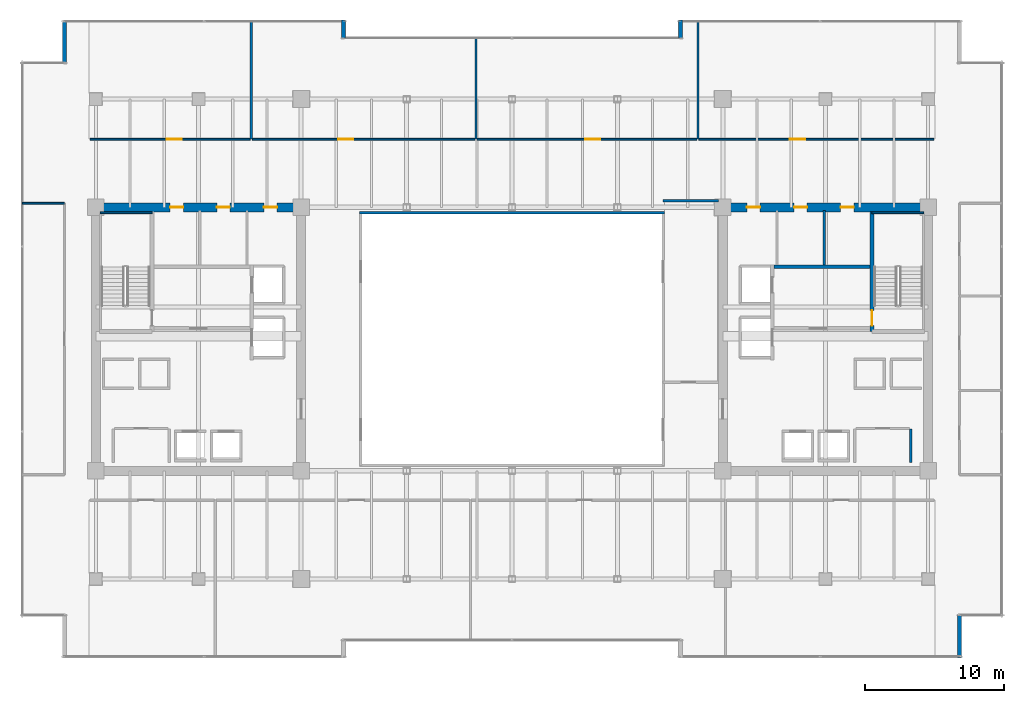
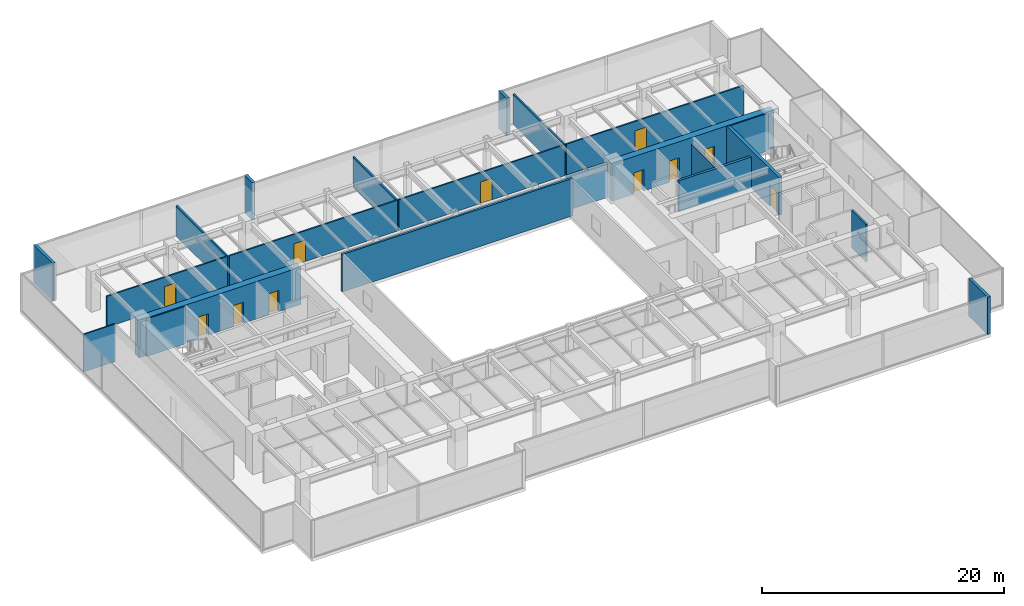
# One storey, part 27 of 33: 22 walls, 11 doors, 11 openings.
"""IFC4 building model written with IfcOpenShell, lengths in metres."""

from ifc_helpers import new_model, si_unit, direction, frame, frame_2d, origin, place, context, subcontext, project, spatial, rectangle, extrude, source, transform, mapped, material, layer, layer_set, type_object, type_shapes, element, fill, save


model = new_model("IFC4")

# Units and contexts
model_context = context("Model", 3, precision=1e-05, world=origin(), true_north=direction((0.0, 1.0)))
body_context = subcontext(model_context, "Body", "Model", "MODEL_VIEW")
ifc_project = project(units=[si_unit("LENGTHUNIT", "METRE"), si_unit("AREAUNIT", "SQUARE_METRE"), si_unit("VOLUMEUNIT", "CUBIC_METRE"), si_unit("PLANEANGLEUNIT", "RADIAN"), si_unit("MASSUNIT", "GRAM", prefix="KILO")], contexts=[model_context])

# Site, building, storey
site_placement = place(None, origin())
site = spatial("IfcSite", under=ifc_project, at=site_placement, CompositionType="ELEMENT")
building_placement = place(site_placement, origin())
building = spatial("IfcBuilding", under=site, at=building_placement, Name="Haelvirn Gate Laboratories", CompositionType="ELEMENT")
storey_placement = place(building_placement, frame((0.0, 0.0, 117.39990234375)))
storey = spatial("IfcBuildingStorey", under=building, at=storey_placement, Name="L28", CompositionType="ELEMENT", Elevation=117.39990234375)

# Walls
ifc_material_1 = material(Name="Thermally-broken bronze aluminium rainscreen & mineral wool", Category="aluminium")
ifc_layer_1 = layer(ifc_material_1, 0.280029296875, Name="EW-TERR-280")
ifc_layer_set_1 = layer_set([ifc_layer_1], Name="Thermally-broken bronze aluminium rainscreen & mineral wool")
wall_type_1 = type_object("IfcWallType", Name="EW-TERR-280", PredefinedType="STANDARD", material=ifc_layer_set_1)
wall_1_placement = place(storey_placement, frame((69.659912109375, 1.300048828125, 0.0), z_axis=(0.0, 0.0, 1.0), x_axis=(0.0, 1.0, 0.0)))
element("IfcWall", 1, at=wall_1_placement, inside=storey, type_object=wall_type_1, Name="L28 Atrium Recess Bronze Return Wall 05", PredefinedType="STANDARD", context=body_context, shape_type="SweptSolid", body=[
    extrude(rectangle(XDim=3.087890625, YDim=0.280029296875, at=frame_2d((1.5439453125, 0.0))), origin(), (0.0, 0.0, 1.0), 3.7900390625),
])
for number, where, z_axis, x_axis, name in (
    (2, (49.5400390625, 47.300048828125, 0.0), (0.0, 0.0, 1.0), (0.0, -1.0, 0.0), "L28 Atrium Recess Bronze Return Wall 11"),
    (3, (25.260009765625, 46.011962890625, 0.0), (0.0, 0.0, 1.0), (0.0, 1.0, 0.0), "L28 Atrium Recess Bronze Return Wall 13"),
):
    element("IfcWall", number, at=place(storey_placement, frame(where, z_axis=z_axis, x_axis=x_axis)), inside=storey, type_object=wall_type_1, Name=name, PredefinedType="STANDARD", context=body_context, shape_type="SweptSolid", body=[
        extrude(rectangle(XDim=1.2880859375, YDim=0.280029296875, at=frame_2d((0.64404296875, 0.0))), origin(), (0.0, 0.0, 1.0), 3.7900390625),
    ])
wall_2_placement = place(storey_placement, frame((5.139892578125, 47.300048828125, 0.0), z_axis=(0.0, 0.0, 1.0), x_axis=(0.0, -1.0, 0.0)))
element("IfcWall", 4, at=wall_2_placement, inside=storey, type_object=wall_type_1, Name="L28 Atrium Recess Bronze Return Wall 15", PredefinedType="STANDARD", context=body_context, shape_type="SweptSolid", body=[
    extrude(rectangle(XDim=3.088134765625, YDim=0.280029296875, at=frame_2d((1.5439453125, 0.0))), origin(), (0.0, 0.0, 1.0), 3.7900390625),
])
ifc_material_2 = material(Name="Double-layer acoustic gypsum laboratory partition", Category="gypsum")
ifc_layer_2 = layer(ifc_material_2, 0.159912109375, Name="IW-ACOUST-160")
ifc_layer_set_2 = layer_set([ifc_layer_2], Name="Double-layer acoustic gypsum laboratory partition")
wall_type_2 = type_object("IfcWallType", Name="IW-ACOUST-160", PredefinedType="PARTITIONING", material=ifc_layer_set_2)
wall_3_placement = place(storey_placement, frame((18.60009765625, 38.705078125, 0.0), z_axis=(0.0, 0.0, 1.0), x_axis=(0.0, 1.0, 0.0)))
element("IfcWall", 5, at=wall_3_placement, inside=storey, type_object=wall_type_2, Name="L28 Interior Wall IW-L28-NDIV-01", PredefinedType="PARTITIONING", context=body_context, shape_type="SweptSolid", body=[
    extrude(rectangle(XDim=8.48486328125, YDim=0.159912109375, at=frame_2d((4.242431640625, 0.0))), origin(), (0.0, 0.0, 1.0), 3.0751953125),
])
wall_4_placement = place(storey_placement, frame((34.800048828125, 38.705078125, 0.0), z_axis=(0.0, 0.0, 1.0), x_axis=(0.0, 1.0, 0.0)))
element("IfcWall", 6, at=wall_4_placement, inside=storey, type_object=wall_type_2, Name="L28 Interior Wall IW-L28-NDIV-02", PredefinedType="PARTITIONING", context=body_context, shape_type="SweptSolid", body=[
    extrude(rectangle(XDim=7.284912109375, YDim=0.159912109375, at=frame_2d((3.642578125, 0.0))), origin(), (0.0, 0.0, 1.0), 3.0751953125),
])
wall_5_placement = place(storey_placement, frame((50.800048828125, 38.705078125, 0.0), z_axis=(0.0, 0.0, 1.0), x_axis=(0.0, 1.0, 0.0)))
element("IfcWall", 7, at=wall_5_placement, inside=storey, type_object=wall_type_2, Name="L28 Interior Wall IW-L28-NDIV-03", PredefinedType="PARTITIONING", context=body_context, shape_type="SweptSolid", body=[
    extrude(rectangle(XDim=8.48486328125, YDim=0.159912109375, at=frame_2d((4.242431640625, 0.0))), origin(), (0.0, 0.0, 1.0), 3.0751953125),
])
ifc_material_3 = material(Name="Fire-rated acoustic gypsum board partition", Category="gypsum")
ifc_layer_3 = layer(ifc_material_3, 0.175048828125, Name="IW-ACOUST-180")
ifc_layer_set_3 = layer_set([ifc_layer_3], Name="Fire-rated acoustic gypsum board partition")
wall_type_3 = type_object("IfcWallType", Name="IW-ACOUST-180", PredefinedType="PARTITIONING", material=ifc_layer_set_3)
wall_6_placement = place(storey_placement, frame((48.300048828125, 34.260009765625, 0.0), z_axis=(0.0, 0.0, 1.0), x_axis=(1.0, 0.0, 0.0)))
element("IfcWall", 8, at=wall_6_placement, inside=storey, type_object=wall_type_3, Name="L28 Interior Wall IW-L28-ASEM-N", PredefinedType="PARTITIONING", context=body_context, shape_type="SweptSolid", body=[
    extrude(rectangle(XDim=3.974853515625, YDim=0.175048828125, at=frame_2d((1.9873046875, 0.0))), origin(), (0.0, 0.0, 1.0), 3.47509765625),
])
ifc_material_4 = material(Name="Tempered fire-rated borosilicate glass & anodised aluminium", Category="aluminium")
ifc_layer_4 = layer(ifc_material_4, 0.195068359375, Name="IW-GLAZ-200")
ifc_layer_set_4 = layer_set([ifc_layer_4], Name="Tempered fire-rated borosilicate glass & anodised aluminium")
wall_type_4 = type_object("IfcWallType", Name="IW-GLAZ-200", PredefinedType="SOLIDWALL", material=ifc_layer_set_4)
wall_7_placement = place(storey_placement, frame((26.39990234375, 33.39990234375, 0.0), z_axis=(0.0, 0.0, 1.0), x_axis=(1.0, 0.0, 0.0)))
element("IfcWall", 9, at=wall_7_placement, inside=storey, type_object=wall_type_4, Name="L28 Interior Wall IW-L28-ATRIUM-N", PredefinedType="SOLIDWALL", context=body_context, shape_type="SweptSolid", body=[
    extrude(rectangle(XDim=22.0, YDim=0.195068359375, at=frame_2d((11.0, 0.0))), origin(), (0.0, 0.0, 1.0), 3.7900390625),
])
ifc_material_5 = material(Name="Lightweight acoustic gypsum board partition", Category="gypsum")
ifc_layer_5 = layer(ifc_material_5, 0.1201171875, Name="IW-PART-120")
ifc_layer_set_5 = layer_set([ifc_layer_5], Name="Lightweight acoustic gypsum board partition")
wall_type_5 = type_object("IfcWallType", Name="IW-PART-120", PredefinedType="PARTITIONING", material=ifc_layer_set_5)
wall_8_placement = place(storey_placement, frame((2.110107421875, 34.0849609375, 0.0), z_axis=(0.0, 0.0, 1.0), x_axis=(1.0, 0.0, 0.0)))
element("IfcWall", 10, at=wall_8_placement, inside=storey, type_object=wall_type_5, Name="L28 Interior Wall IW-L28-WCAP-N", PredefinedType="PARTITIONING", context=body_context, shape_type="SweptSolid", body=[
    extrude(rectangle(XDim=3.019775390625, YDim=0.1201171875, at=frame_2d((1.509765625, 0.0))), origin(), (0.0, 0.0, 1.0), 3.7900390625),
])

# Wall, opening, door
ifc_material_6 = material(Name="Acoustic mineral-wool gypsum board partition", Category="gypsum")
ifc_layer_6 = layer(ifc_material_6, 0.139892578125, Name="IW-PART-140")
ifc_layer_set_6 = layer_set([ifc_layer_6], Name="Acoustic mineral-wool gypsum board partition")
wall_type_6 = type_object("IfcWallType", Name="IW-PART-140", PredefinedType="PARTITIONING", material=ifc_layer_set_6)
wall_9_placement = place(storey_placement, frame((6.97998046875, 38.705078125, 0.0), z_axis=(0.0, 0.0, 1.0), x_axis=(1.0, 0.0, 0.0)))
wall_9 = element("IfcWall", 11, at=wall_9_placement, inside=storey, type_object=wall_type_6, Name="L28 Interior Wall IW-L28-NCORR-01", PredefinedType="PARTITIONING", context=body_context, shape_type="SweptSolid", body=[
    extrude(rectangle(XDim=11.5400390625, YDim=0.139892578125, at=frame_2d((5.77001953125, 0.0))), origin(), (0.0, 0.0, 1.0), 3.125),
])
opening_1_placement = place(wall_9_placement, frame((5.51220703125, 0.0, 0.0)))
opening_1 = element("IfcOpeningElement", 12, at=opening_1_placement, cuts=wall_9, Name="Opening D1", PredefinedType="OPENING", context=body_context, shape_type="SweptSolid", body=[
    extrude(rectangle(XDim=1.10009765625, YDim=2.179931640625, at=frame_2d((0.550048828125, 1.08984375))), frame((0.0, 0.080078125, 0.0), z_axis=(0.0, -1.0, 0.0), x_axis=(1.0, 0.0, 0.0)), (0.0, 0.0, 1.0), 0.159912109375),
])
ifc_material_7 = material(Name="Vision-panel acoustic solid-core timber lab door", Category="wood")
door_type_1 = type_object("IfcDoorType", Name="DR-LAB-1100", OperationType="NOTDEFINED", PredefinedType="DOOR", material=ifc_material_7)
shared_shape_1 = source(origin(), body_context, "Body", "SweptSolid", [
    extrude(rectangle(XDim=1.10009765625, YDim=2.179931640625, at=frame_2d((0.550048828125, 1.08984375))), frame((0.0, 0.02490234375, 0.0), z_axis=(0.0, -1.0, 0.0), x_axis=(1.0, 0.0, 0.0)), (0.0, 0.0, 1.0), 0.050048828125),
])
type_shapes(door_type_1, [shared_shape_1])
door_1_placement = place(opening_1_placement, origin())
door_1 = element("IfcDoor", 13, at=door_1_placement, inside=storey, type_object=door_type_1, Name="L28 Cleanroom Metrology Suite Door N1", OperationType="SINGLE_SWING_RIGHT", OverallHeight=2.179931640625, OverallWidth=1.10009765625, PredefinedType="DOOR", context=body_context, shape_type="MappedRepresentation", body=[
    mapped(shared_shape_1, transform((0.0, 0.0, 0.0), scale=1.0)),
])
fill(opening_1, door_1)

wall_10_placement = place(storey_placement, frame((18.679931640625, 38.705078125, 0.0), z_axis=(0.0, 0.0, 1.0), x_axis=(1.0, 0.0, 0.0)))
wall_10 = element("IfcWall", 14, at=wall_10_placement, inside=storey, type_object=wall_type_6, Name="L28 Interior Wall IW-L28-NCORR-02", PredefinedType="PARTITIONING", context=body_context, shape_type="SweptSolid", body=[
    extrude(rectangle(XDim=16.0400390625, YDim=0.139892578125, at=frame_2d((8.02001953125, 0.0))), origin(), (0.0, 0.0, 1.0), 3.125),
])
opening_2_placement = place(wall_10_placement, frame((6.1884765625, 0.0, 0.0)))
opening_2 = element("IfcOpeningElement", 15, at=opening_2_placement, cuts=wall_10, Name="Opening D1", PredefinedType="OPENING", context=body_context, shape_type="SweptSolid", body=[
    extrude(rectangle(XDim=1.10009765625, YDim=2.179931640625, at=frame_2d((0.550048828125, 1.08984375))), frame((0.0, 0.080078125, 0.0), z_axis=(0.0, -1.0, 0.0), x_axis=(1.0, 0.0, 0.0)), (0.0, 0.0, 1.0), 0.159912109375),
])
door_2_placement = place(opening_2_placement, origin())
door_2 = element("IfcDoor", 16, at=door_2_placement, inside=storey, type_object=door_type_1, Name="L28 Cryo-EM Imaging Suite Door N2", OperationType="SINGLE_SWING_LEFT", OverallHeight=2.179931640625, OverallWidth=1.10009765625, PredefinedType="DOOR", context=body_context, shape_type="MappedRepresentation", body=[
    mapped(shared_shape_1, transform((0.0, 0.0, 0.0), scale=1.0)),
])
fill(opening_2, door_2)

wall_11_placement = place(storey_placement, frame((34.8798828125, 38.705078125, 0.0), z_axis=(0.0, 0.0, 1.0), x_axis=(1.0, 0.0, 0.0)))
wall_11 = element("IfcWall", 17, at=wall_11_placement, inside=storey, type_object=wall_type_6, Name="L28 Interior Wall IW-L28-NCORR-03", PredefinedType="PARTITIONING", context=body_context, shape_type="SweptSolid", body=[
    extrude(rectangle(XDim=15.840087890625, YDim=0.139892578125, at=frame_2d((7.919921875, 0.0))), origin(), (0.0, 0.0, 1.0), 3.125),
])
opening_3_placement = place(wall_11_placement, frame((7.791259765625, 0.0, 0.0)))
opening_3 = element("IfcOpeningElement", 18, at=opening_3_placement, cuts=wall_11, Name="Opening D1", PredefinedType="OPENING", context=body_context, shape_type="SweptSolid", body=[
    extrude(rectangle(XDim=1.10009765625, YDim=2.179931640625, at=frame_2d((0.550048828125, 1.08984375))), frame((0.0, 0.080078125, 0.0), z_axis=(0.0, -1.0, 0.0), x_axis=(1.0, 0.0, 0.0)), (0.0, 0.0, 1.0), 0.159912109375),
])
door_3_placement = place(opening_3_placement, origin())
door_3 = element("IfcDoor", 19, at=door_3_placement, inside=storey, type_object=door_type_1, Name="L28 Floor Hydration & Tea Servery Door N3", OperationType="SINGLE_SWING_RIGHT", OverallHeight=2.179931640625, OverallWidth=1.10009765625, PredefinedType="DOOR", context=body_context, shape_type="MappedRepresentation", body=[
    mapped(shared_shape_1, transform((0.0, 0.0, 0.0), scale=1.0)),
])
fill(opening_3, door_3)

wall_12_placement = place(storey_placement, frame((50.8798828125, 38.705078125, 0.0), z_axis=(0.0, 0.0, 1.0), x_axis=(1.0, 0.0, 0.0)))
wall_12 = element("IfcWall", 20, at=wall_12_placement, inside=storey, type_object=wall_type_6, Name="L28 Interior Wall IW-L28-NCORR-04", PredefinedType="PARTITIONING", context=body_context, shape_type="SweptSolid", body=[
    extrude(rectangle(XDim=16.940185546875, YDim=0.139892578125, at=frame_2d((8.47021484375, 0.0))), origin(), (0.0, 0.0, 1.0), 3.125),
])
opening_4_placement = place(wall_12_placement, frame((6.557373046875, 0.0, 0.0)))
opening_4 = element("IfcOpeningElement", 21, at=opening_4_placement, cuts=wall_12, Name="Opening D1", PredefinedType="OPENING", context=body_context, shape_type="SweptSolid", body=[
    extrude(rectangle(XDim=1.10009765625, YDim=2.179931640625, at=frame_2d((0.550048828125, 1.08984375))), frame((0.0, 0.080078125, 0.0), z_axis=(0.0, -1.0, 0.0), x_axis=(1.0, 0.0, 0.0)), (0.0, 0.0, 1.0), 0.159912109375),
])
door_4_placement = place(opening_4_placement, origin())
door_4 = element("IfcDoor", 22, at=door_4_placement, inside=storey, type_object=door_type_1, Name="L28 Researcher Break Pantry Door N4", OperationType="SINGLE_SWING_LEFT", OverallHeight=2.179931640625, OverallWidth=1.10009765625, PredefinedType="DOOR", context=body_context, shape_type="MappedRepresentation", body=[
    mapped(shared_shape_1, transform((0.0, 0.0, 0.0), scale=1.0)),
])
fill(opening_4, door_4)

# Walls
ifc_material_8 = material(Name="Cement-board restroom plumbing chase wall", Category="gypsum")
ifc_layer_7 = layer(ifc_material_8, 0.155029296875, Name="IW-PLUMB-160")
ifc_layer_set_7 = layer_set([ifc_layer_7], Name="Cement-board restroom plumbing chase wall")
wall_type_7 = type_object("IfcWallType", Name="IW-PLUMB-160", PredefinedType="PLUMBINGWALL", material=ifc_layer_set_7)
wall_13_placement = place(storey_placement, frame((59.909912109375, 29.64990234375, 0.0), z_axis=(0.0, 0.0, 1.0), x_axis=(0.0, 1.0, 0.0)))
element("IfcWall", 23, at=wall_13_placement, inside=storey, type_object=wall_type_7, Name="L28 Interior Wall IW-L28-E-CDIV-1", PredefinedType="PLUMBINGWALL", context=body_context, shape_type="SweptSolid", body=[
    extrude(rectangle(XDim=3.93017578125, YDim=0.155029296875, at=frame_2d((1.965087890625, 0.0))), origin(), (0.0, 0.0, 1.0), 3.125),
])
ifc_material_9 = material(Name="Concrete C40/50", Category="concrete")
ifc_layer_8 = layer(ifc_material_9, 0.179931640625, Name="IW-SHAFT-180")
ifc_layer_set_8 = layer_set([ifc_layer_8], Name="Concrete C40/50")
wall_type_8 = type_object("IfcWallType", Name="IW-SHAFT-180", PredefinedType="SOLIDWALL", material=ifc_layer_set_8)
wall_14_placement = place(storey_placement, frame((66.139892578125, 15.39990234375, 0.0), z_axis=(0.0, 0.0, 1.0), x_axis=(0.0, 1.0, 0.0)))
element("IfcWall", 24, at=wall_14_placement, inside=storey, type_object=wall_type_8, Name="L28 Interior Wall IW-L28-E-FREED-LW-1", PredefinedType="SOLIDWALL", context=body_context, shape_type="SweptSolid", body=[
    extrude(rectangle(XDim=2.400146484375, YDim=0.179931640625, at=frame_2d((1.2001953125, 0.0))), origin(), (0.0, 0.0, 1.0), 3.7900390625),
])
ifc_layer_9 = layer(ifc_material_9, 0.239990234375, Name="IW-SHAFT-240")
ifc_layer_set_9 = layer_set([ifc_layer_9], Name="Concrete C40/50")
wall_type_9 = type_object("IfcWallType", Name="IW-SHAFT-240", PredefinedType="SOLIDWALL", material=ifc_layer_set_9)
wall_15_placement = place(storey_placement, frame((56.280029296875, 29.52001953125, 0.0), z_axis=(0.0, 0.0, 1.0), x_axis=(1.0, 0.0, 0.0)))
element("IfcWall", 25, at=wall_15_placement, inside=storey, type_object=wall_type_9, Name="L28 Interior Wall IW-L28-E-FF-N", PredefinedType="SOLIDWALL", context=body_context, shape_type="SweptSolid", body=[
    extrude(rectangle(XDim=6.919921875, YDim=0.239990234375, at=frame_2d((3.4599609375, 0.0))), origin(), (0.0, 0.0, 1.0), 3.125),
])

# Wall, openings, doors
ifc_material_10 = material(Name="Concrete C60/75", Category="concrete")
ifc_layer_10 = layer(ifc_material_10, 0.64990234375, Name="SW-CORE-650")
ifc_layer_set_10 = layer_set([ifc_layer_10], Name="Concrete C60/75")
wall_type_10 = type_object("IfcWallType", Name="SW-CORE-650", PredefinedType="SHEAR", material=ifc_layer_set_10)
wall_16_placement = place(storey_placement, frame((7.074951171875, 33.800048828125, 0.0), z_axis=(0.0, 0.0, 1.0), x_axis=(1.0, 0.0, 0.0)))
wall_16 = element("IfcWall", 26, at=wall_16_placement, inside=storey, type_object=wall_type_10, Name="L28 W Core Shear Wall N", PredefinedType="SHEAR", context=body_context, shape_type="SweptSolid", body=[
    extrude(rectangle(XDim=15.449951171875, YDim=0.64990234375, at=frame_2d((7.72509765625, 0.0))), origin(), (0.0, 0.0, 1.0), 3.7900390625),
])
opening_5_placement = place(wall_16_placement, frame((5.675048828125, 0.0, 0.0)))
opening_5 = element("IfcOpeningElement", 27, at=opening_5_placement, cuts=wall_16, Name="Opening FD4", PredefinedType="OPENING", context=body_context, shape_type="SweptSolid", body=[
    extrude(rectangle(XDim=0.949951171875, YDim=2.14990234375, at=frame_2d((0.47509765625, 1.074951171875))), frame((0.0, 0.3349609375, 0.0), z_axis=(0.0, -1.0, 0.0), x_axis=(1.0, 0.0, 0.0)), (0.0, 0.0, 1.0), 0.669921875),
])
opening_6_placement = place(wall_16_placement, frame((9.0400390625, 0.0, 0.0)))
opening_6 = element("IfcOpeningElement", 28, at=opening_6_placement, cuts=wall_16, Name="Opening FD4", PredefinedType="OPENING", context=body_context, shape_type="SweptSolid", body=[
    extrude(rectangle(XDim=0.949951171875, YDim=2.14990234375, at=frame_2d((0.47509765625, 1.074951171875))), frame((0.0, 0.3349609375, 0.0), z_axis=(0.0, -1.0, 0.0), x_axis=(1.0, 0.0, 0.0)), (0.0, 0.0, 1.0), 0.669921875),
])
opening_7_placement = place(wall_16_placement, frame((12.43994140625, 0.0, 0.0)))
opening_7 = element("IfcOpeningElement", 29, at=opening_7_placement, cuts=wall_16, Name="Opening FD4", PredefinedType="OPENING", context=body_context, shape_type="SweptSolid", body=[
    extrude(rectangle(XDim=0.949951171875, YDim=2.14990234375, at=frame_2d((0.47509765625, 1.074951171875))), frame((0.0, 0.3349609375, 0.0), z_axis=(0.0, -1.0, 0.0), x_axis=(1.0, 0.0, 0.0)), (0.0, 0.0, 1.0), 0.669921875),
])
ifc_material_11 = material(Name="Fire-rated steel SM355 core service door", Category="steel")
door_type_2 = type_object("IfcDoorType", Name="DR-FD-950", OperationType="NOTDEFINED", PredefinedType="DOOR", material=ifc_material_11)
shared_shape_2 = source(origin(), body_context, "Body", "SweptSolid", [
    extrude(rectangle(XDim=0.949951171875, YDim=2.14990234375, at=frame_2d((0.47509765625, 1.074951171875))), frame((0.0, 0.02490234375, 0.0), z_axis=(0.0, -1.0, 0.0), x_axis=(1.0, 0.0, 0.0)), (0.0, 0.0, 1.0), 0.050048828125),
])
type_shapes(door_type_2, [shared_shape_2])
door_5_placement = place(opening_5_placement, origin())
door_5 = element("IfcDoor", 30, at=door_5_placement, inside=storey, type_object=door_type_2, Name="L28 Male Restroom Fire Door", OperationType="SINGLE_SWING_LEFT", OverallHeight=2.14990234375, OverallWidth=0.949951171875, PredefinedType="DOOR", context=body_context, shape_type="MappedRepresentation", body=[
    mapped(shared_shape_2, transform((0.0, 0.0, 0.0), scale=1.0)),
])
fill(opening_5, door_5)
door_6_placement = place(opening_6_placement, origin())
door_6 = element("IfcDoor", 31, at=door_6_placement, inside=storey, type_object=door_type_2, Name="L28 Female Restroom Fire Door", OperationType="SINGLE_SWING_RIGHT", OverallHeight=2.14990234375, OverallWidth=0.949951171875, PredefinedType="DOOR", context=body_context, shape_type="MappedRepresentation", body=[
    mapped(shared_shape_2, transform((0.0, 0.0, 0.0), scale=1.0)),
])
fill(opening_6, door_6)
door_7_placement = place(opening_7_placement, origin())
door_7 = element("IfcDoor", 32, at=door_7_placement, inside=storey, type_object=door_type_2, Name="L28 Accessible Restroom Fire Door", OperationType="SINGLE_SWING_LEFT", OverallHeight=2.14990234375, OverallWidth=0.949951171875, PredefinedType="DOOR", context=body_context, shape_type="MappedRepresentation", body=[
    mapped(shared_shape_2, transform((0.0, 0.0, 0.0), scale=1.0)),
])
fill(opening_7, door_7)

wall_17_placement = place(storey_placement, frame((52.27490234375, 33.800048828125, 0.0), z_axis=(0.0, 0.0, 1.0), x_axis=(1.0, 0.0, 0.0)))
wall_17 = element("IfcWall", 33, at=wall_17_placement, inside=storey, type_object=wall_type_10, Name="L28 E Core Shear Wall N", PredefinedType="SHEAR", context=body_context, shape_type="SweptSolid", body=[
    extrude(rectangle(XDim=15.4501953125, YDim=0.64990234375, at=frame_2d((7.72509765625, 0.0))), origin(), (0.0, 0.0, 1.0), 3.7900390625),
])
opening_8_placement = place(wall_17_placement, frame((8.824951171875, 0.0, 0.0)))
opening_8 = element("IfcOpeningElement", 34, at=opening_8_placement, cuts=wall_17, Name="Opening FD4", PredefinedType="OPENING", context=body_context, shape_type="SweptSolid", body=[
    extrude(rectangle(XDim=0.949951171875, YDim=2.14990234375, at=frame_2d((0.47509765625, 1.074951171875))), frame((0.0, 0.3349609375, 0.0), z_axis=(0.0, -1.0, 0.0), x_axis=(1.0, 0.0, 0.0)), (0.0, 0.0, 1.0), 0.669921875),
])
opening_9_placement = place(wall_17_placement, frame((5.4599609375, 0.0, 0.0)))
opening_9 = element("IfcOpeningElement", 35, at=opening_9_placement, cuts=wall_17, Name="Opening FD4", PredefinedType="OPENING", context=body_context, shape_type="SweptSolid", body=[
    extrude(rectangle(XDim=0.949951171875, YDim=2.14990234375, at=frame_2d((0.47509765625, 1.074951171875))), frame((0.0, 0.3349609375, 0.0), z_axis=(0.0, -1.0, 0.0), x_axis=(1.0, 0.0, 0.0)), (0.0, 0.0, 1.0), 0.669921875),
])
opening_10_placement = place(wall_17_placement, frame((2.06005859375, 0.0, 0.0)))
opening_10 = element("IfcOpeningElement", 36, at=opening_10_placement, cuts=wall_17, Name="Opening FD4", PredefinedType="OPENING", context=body_context, shape_type="SweptSolid", body=[
    extrude(rectangle(XDim=0.949951171875, YDim=2.14990234375, at=frame_2d((0.47509765625, 1.074951171875))), frame((0.0, 0.3349609375, 0.0), z_axis=(0.0, -1.0, 0.0), x_axis=(1.0, 0.0, 0.0)), (0.0, 0.0, 1.0), 0.669921875),
])
door_8_placement = place(opening_8_placement, origin())
door_8 = element("IfcDoor", 37, at=door_8_placement, inside=storey, type_object=door_type_2, Name="L28 Male Restroom Fire Door", OperationType="SINGLE_SWING_LEFT", OverallHeight=2.14990234375, OverallWidth=0.949951171875, PredefinedType="DOOR", context=body_context, shape_type="MappedRepresentation", body=[
    mapped(shared_shape_2, transform((0.0, 0.0, 0.0), scale=1.0)),
])
fill(opening_8, door_8)
door_9_placement = place(opening_9_placement, origin())
door_9 = element("IfcDoor", 38, at=door_9_placement, inside=storey, type_object=door_type_2, Name="L28 Female Restroom Fire Door", OperationType="SINGLE_SWING_RIGHT", OverallHeight=2.14990234375, OverallWidth=0.949951171875, PredefinedType="DOOR", context=body_context, shape_type="MappedRepresentation", body=[
    mapped(shared_shape_2, transform((0.0, 0.0, 0.0), scale=1.0)),
])
fill(opening_9, door_9)
door_10_placement = place(opening_10_placement, origin())
door_10 = element("IfcDoor", 39, at=door_10_placement, inside=storey, type_object=door_type_2, Name="L28 Accessible Restroom Fire Door", OperationType="SINGLE_SWING_LEFT", OverallHeight=2.14990234375, OverallWidth=0.949951171875, PredefinedType="DOOR", context=body_context, shape_type="MappedRepresentation", body=[
    mapped(shared_shape_2, transform((0.0, 0.0, 0.0), scale=1.0)),
])
fill(opening_10, door_10)

# Walls
ifc_material_12 = material(Name="Concrete C50/60", Category="concrete")
ifc_layer_11 = layer(ifc_material_12, 0.1201171875, Name="SW-LINER-120")
ifc_layer_set_11 = layer_set([ifc_layer_11], Name="Concrete C50/60")
wall_type_11 = type_object("IfcWallType", Name="SW-LINER-120", PredefinedType="SOLIDWALL", material=ifc_layer_set_11)
for number, where, z_axis, x_axis, name in (
    (40, (7.72998046875, 33.39990234375, 0.0), (0.0, 0.0, 1.0), (1.0, 0.0, 0.0), "L28 W Core Stair Shaft Liner Wall N"),
    (41, (63.35009765625, 33.39990234375, 0.0), (0.0, 0.0, 1.0), (1.0, 0.0, 0.0), "L28 E Core Stair Shaft Liner Wall N"),
):
    element("IfcWall", number, at=place(storey_placement, frame(where, z_axis=z_axis, x_axis=x_axis)), inside=storey, type_object=wall_type_11, Name=name, PredefinedType="SOLIDWALL", context=body_context, shape_type="SweptSolid", body=[
        extrude(rectangle(XDim=3.719970703125, YDim=0.1201171875, at=frame_2d((1.85986328125, 0.0))), origin(), (0.0, 0.0, 1.0), 3.7900390625),
    ])

# Wall, opening, door
ifc_layer_12 = layer(ifc_material_12, 0.300048828125, Name="SW-STAIR-300")
ifc_layer_set_12 = layer_set([ifc_layer_12], Name="Concrete C50/60")
wall_type_12 = type_object("IfcWallType", Name="SW-STAIR-300", PredefinedType="SHEAR", material=ifc_layer_set_12)
wall_18_placement = place(storey_placement, frame((63.35009765625, 24.85009765625, 0.0), z_axis=(0.0, 0.0, 1.0), x_axis=(0.0, 1.0, 0.0)))
wall_18 = element("IfcWall", 42, at=wall_18_placement, inside=storey, type_object=wall_type_12, Name="L28 E Core Stair Shaft Structural Wall IN", PredefinedType="SHEAR", context=body_context, shape_type="SweptSolid", body=[
    extrude(rectangle(XDim=8.6298828125, YDim=0.300048828125, at=frame_2d((4.31494140625, 0.0))), origin(), (0.0, 0.0, 1.0), 3.7900390625),
])
opening_11_placement = place(wall_18_placement, frame((0.419921875, 0.0, 0.0)))
opening_11 = element("IfcOpeningElement", 43, at=opening_11_placement, cuts=wall_18, Name="Opening FD3", PredefinedType="OPENING", context=body_context, shape_type="SweptSolid", body=[
    extrude(rectangle(XDim=1.10009765625, YDim=2.14990234375, at=frame_2d((0.550048828125, 1.074951171875))), frame((0.0, 0.16015625, 0.0), z_axis=(0.0, -1.0, 0.0), x_axis=(1.0, 0.0, 0.0)), (0.0, 0.0, 1.0), 0.320068359375),
])
ifc_material_13 = material(Name="Fire-rated steel SM355 escape stair door", Category="steel")
door_type_3 = type_object("IfcDoorType", Name="DR-FD-1100", OperationType="NOTDEFINED", PredefinedType="DOOR", material=ifc_material_13)
shared_shape_3 = source(origin(), body_context, "Body", "SweptSolid", [
    extrude(rectangle(XDim=1.10009765625, YDim=2.14990234375, at=frame_2d((0.550048828125, 1.074951171875))), frame((0.0, 0.02490234375, 0.0), z_axis=(0.0, -1.0, 0.0), x_axis=(1.0, 0.0, 0.0)), (0.0, 0.0, 1.0), 0.050048828125),
])
type_shapes(door_type_3, [shared_shape_3])
door_11_placement = place(opening_11_placement, origin())
door_11 = element("IfcDoor", 44, at=door_11_placement, inside=storey, type_object=door_type_3, Name="L28 Escape Stair ST2 Fire Door", OperationType="SINGLE_SWING_RIGHT", OverallHeight=2.14990234375, OverallWidth=1.10009765625, PredefinedType="DOOR", context=body_context, shape_type="MappedRepresentation", body=[
    mapped(shared_shape_3, transform((0.0, 0.0, 0.0), scale=1.0)),
])
fill(opening_11, door_11)

save(model, "model.ifc")
